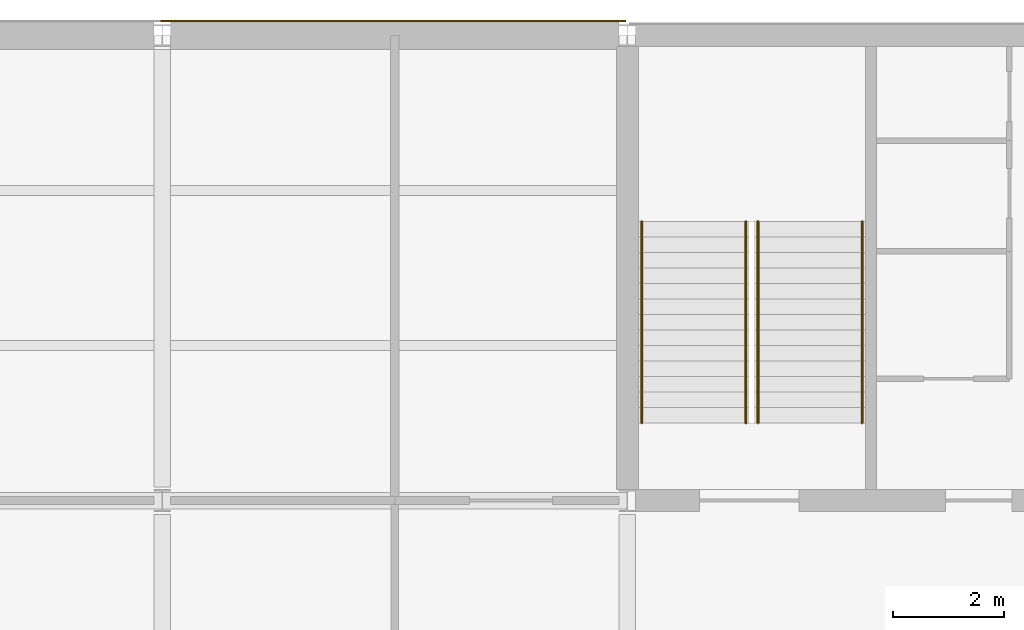
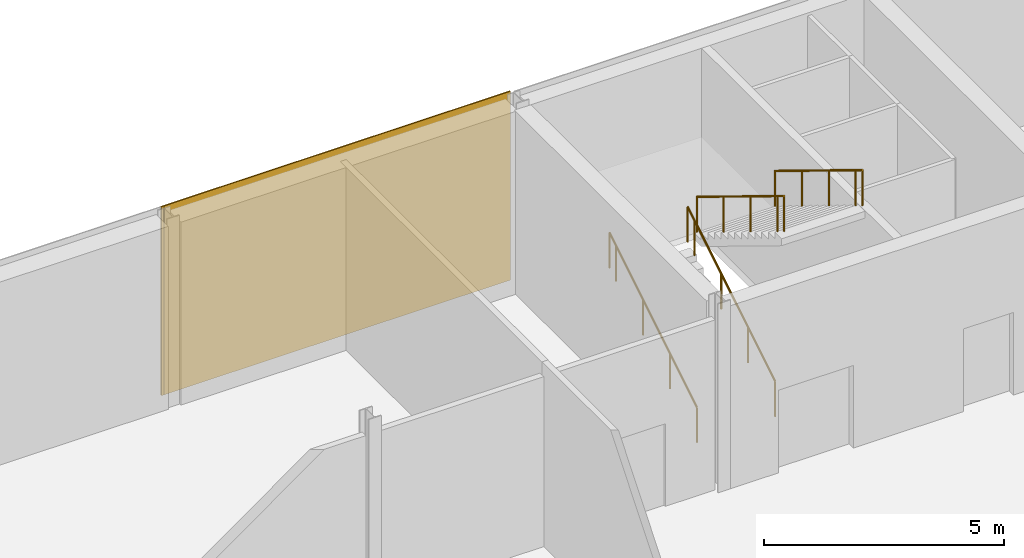
# One storey, part 43 of 52: 4 railings, 2 coverings.
"""IFC4 building model written with IfcOpenShell, lengths in metres."""

import ifcopenshell
import ifcopenshell.guid

model = None  # the IFC model being written
_history = None  # IfcOwnerHistory: only IFC2X3 demands one
_inside = {}  # id of a spatial element -> (the spatial element, [elements in it])
_under = {}  # id of a project, library or spatial element -> (it, [spatial elements below it])
_declared = {}  # id of a project -> (the project, [libraries it declares])
_typed = {}  # id of a type object -> (the type object, [elements of that type])
_made_of = {}  # id of a material, layer set ... -> (it, [elements and type objects made of it])


def new_model(schema):
    """Start an empty IFC model of exactly this schema.

    Asked for "IFC4X3", IfcOpenShell would pick the latest addendum, in which some entities
    have other attributes; the version numbers below select the first issue.
    IFC2X3 requires an IfcOwnerHistory on every rooted entity: one is made here for all.
    """
    global model, _history
    if schema == "IFC4X3":
        model = ifcopenshell.file(schema_version=(4, 3, 0, 0))
    else:
        model = ifcopenshell.file(schema=schema)
    _inside.clear()
    _under.clear()
    _declared.clear()
    _typed.clear()
    _made_of.clear()
    _history = None
    if model.schema == "IFC2X3":
        org = make("IfcOrganization", Name="unknown")
        user = make(
            "IfcPersonAndOrganization",
            ThePerson=make("IfcPerson", FamilyName="unknown"),
            TheOrganization=org,
        )
        app = make(
            "IfcApplication",
            ApplicationDeveloper=org,
            Version="unknown",
            ApplicationFullName="unknown",
            ApplicationIdentifier="unknown",
        )
        _history = make(
            "IfcOwnerHistory",
            OwningUser=user,
            OwningApplication=app,
            ChangeAction="ADDED",
            CreationDate=0,
        )
    return model


def make(cls, **values):
    """One entity of the class cls with the attributes given. An attribute that is None is left unset."""
    return model.create_entity(
        cls, **{name: value for name, value in values.items() if value is not None}
    )


def rooted(cls, **values):
    """An entity with a GlobalId (a new one), such as an element, a storey or a relation."""
    return make(cls, GlobalId=ifcopenshell.guid.new(), OwnerHistory=_history, **values)


def si_unit(unit_type, name, prefix=None):
    """IfcSIUnit, for example si_unit("LENGTHUNIT", "METRE", prefix="MILLI")."""
    return make("IfcSIUnit", UnitType=unit_type, Prefix=prefix, Name=name)


def assignment(units):
    """IfcUnitAssignment: the units of a project."""
    return None if units is None else make("IfcUnitAssignment", Units=units)


def point(xyz):
    """IfcCartesianPoint."""
    return None if xyz is None else make("IfcCartesianPoint", Coordinates=xyz)


def direction(xyz):
    """IfcDirection."""
    return None if xyz is None else make("IfcDirection", DirectionRatios=xyz)


def frame(location, z_axis=None, x_axis=None):
    """IfcAxis2Placement3D, a coordinate frame: its origin and axes. An axis left out is left unset."""
    return make(
        "IfcAxis2Placement3D",
        Location=point(location),
        Axis=direction(z_axis),
        RefDirection=direction(x_axis),
    )


def frame_2d(location, x_axis=None):
    """IfcAxis2Placement2D, a coordinate frame in the plane: its origin and x axis."""
    return make(
        "IfcAxis2Placement2D", Location=point(location), RefDirection=direction(x_axis)
    )


def origin():
    """The frame at (0, 0, 0) with its axes left unset."""
    return frame((0.0, 0.0, 0.0))


def origin_2d():
    """The frame at (0, 0) in the plane with its x axis left unset."""
    return frame_2d((0.0, 0.0))


def place(relative_to, where):
    """IfcLocalPlacement: puts the frame where relative to a parent placement (None: the world)."""
    return make(
        "IfcLocalPlacement", PlacementRelTo=relative_to, RelativePlacement=where
    )


def context(
    kind, dimensions, precision=None, world=None, true_north=None, identifier=None
):
    """IfcGeometricRepresentationContext, for example the 3D "Model" context."""
    return make(
        "IfcGeometricRepresentationContext",
        ContextIdentifier=identifier,
        ContextType=kind,
        CoordinateSpaceDimension=dimensions,
        Precision=precision,
        WorldCoordinateSystem=world,
        TrueNorth=true_north,
    )


def subcontext(parent, identifier, kind, view, scale=None):
    """IfcGeometricRepresentationSubContext, for example "Body" below "Model"."""
    return make(
        "IfcGeometricRepresentationSubContext",
        ContextIdentifier=identifier,
        ContextType=kind,
        ParentContext=parent,
        TargetScale=scale,
        TargetView=view,
    )


def project(units=None, contexts=None):
    """IfcProject with its units and contexts."""
    return rooted(
        "IfcProject",
        Name="project",
        RepresentationContexts=contexts,
        UnitsInContext=assignment(units),
    )


def spatial(cls, under=None, at=None, **own):
    """A site, building, storey or space (cls), placed at a placement, below another one or the project."""
    s = rooted(cls, ObjectPlacement=at, **own)
    if under is not None:
        _under.setdefault(under.id(), (under, []))[1].append(s)
    return s


def profile(cls, at=None, kind="AREA", **sizes):
    """A parametric profile (cls). Its sizes go by their IFC names, for example OverallWidth=200.0."""
    return make(cls, ProfileType=kind, Position=at, **sizes)


def rectangle(**sizes):
    """IfcRectangleProfileDef."""
    return profile("IfcRectangleProfileDef", **sizes)


def circle(**sizes):
    """IfcCircleProfileDef."""
    return profile("IfcCircleProfileDef", **sizes)


def extrude(swept, where, along, depth):
    """IfcExtrudedAreaSolid: the profile swept, set in the frame where, extruded along a direction by depth."""
    return make(
        "IfcExtrudedAreaSolid",
        SweptArea=swept,
        Position=where,
        ExtrudedDirection=direction(along),
        Depth=depth,
    )


def shape(context_of_items, identifier, shape_type, items):
    """IfcShapeRepresentation: the items that make up one representation, for example the "Body"."""
    return make(
        "IfcShapeRepresentation",
        ContextOfItems=context_of_items,
        RepresentationIdentifier=identifier,
        RepresentationType=shape_type,
        Items=items,
    )


def material(Name=None, Category=None):
    """IfcMaterial."""
    return make("IfcMaterial", Name=Name, Category=Category)


def layer(
    of_material, thickness, ventilated=None, Name=None, Category=None, Priority=None
):
    """IfcMaterialLayer: one layer of a wall or slab, of a material (None: an air gap)."""
    return make(
        "IfcMaterialLayer",
        Material=of_material,
        LayerThickness=thickness,
        IsVentilated=ventilated,
        Name=Name,
        Category=Category,
        Priority=Priority,
    )


def layer_set(layers, Name=None):
    """IfcMaterialLayerSet."""
    return make("IfcMaterialLayerSet", MaterialLayers=layers, LayerSetName=Name)


def made_of(thing, what):
    """Note that an element or type object is made of a material, layer set ...; save() writes the relation."""
    if what is not None:
        _made_of.setdefault(what.id(), (what, []))[1].append(thing)
    return thing


def type_object(cls, material=None, **own):
    """A type object (cls), such as IfcWallType, which elements share."""
    return made_of(rooted(cls, **own), material)


def element(
    cls,
    number,
    at=None,
    inside=None,
    cuts=None,
    type_object=None,
    material=None,
    context=None,
    identifier="Body",
    shape_type=None,
    held_by="IfcProductDefinitionShape",
    body=None,
    shapes=None,
    **own,
):
    """One element of the class cls, such as IfcWall. Its Tag is "e" and its number.

    at: its placement. inside: the storey or other place that contains it. cuts: it is an
    opening in that element (IfcRelVoidsElement). A single representation is given by context,
    identifier, shape_type and body (its items); several are given by shapes. held_by: the class
    of the entity that holds the representations. save() writes the other relations.
    """
    e = rooted(cls, Tag="e%d" % number, ObjectPlacement=at, **own)
    if body is not None:
        shapes = [shape(context, identifier, shape_type, body)]
    if shapes is not None:
        e.Representation = make(held_by, Representations=shapes)
    if inside is not None:
        _inside.setdefault(inside.id(), (inside, []))[1].append(e)
    if cuts is not None:
        rooted(
            "IfcRelVoidsElement", RelatingBuildingElement=cuts, RelatedOpeningElement=e
        )
    if type_object is not None:
        _typed.setdefault(type_object.id(), (type_object, []))[1].append(e)
    return made_of(e, material)


def aggregate(whole, parts):
    """IfcRelAggregates: a whole, such as a stair, and the parts it consists of."""
    return rooted("IfcRelAggregates", RelatingObject=whole, RelatedObjects=parts)


def save(model, path):
    """Write the relations noted so far, then the file.

    IfcRelAggregates (storeys below a building ...), IfcRelContainedInSpatialStructure (elements
    in a storey), IfcRelDefinesByType, IfcRelAssociatesMaterial and IfcRelDeclares: one each for
    every whole, place, type object, material and project.
    """
    for whole, parts in _under.values():
        aggregate(whole, parts)
    for where, things in _inside.values():
        rooted(
            "IfcRelContainedInSpatialStructure",
            RelatedElements=things,
            RelatingStructure=where,
        )
    for kind, things in _typed.values():
        rooted("IfcRelDefinesByType", RelatedObjects=things, RelatingType=kind)
    for what, things in _made_of.values():
        rooted("IfcRelAssociatesMaterial", RelatedObjects=things, RelatingMaterial=what)
    for by, libraries in _declared.values():
        rooted("IfcRelDeclares", RelatingContext=by, RelatedDefinitions=libraries)
    model.write(path)


model = new_model("IFC4")

# Units and contexts
model_context = context("Model", 3, precision=1e-05, world=origin(), true_north=direction((0.0, 1.0)))
body_context = subcontext(model_context, "Body", "Model", "MODEL_VIEW")
ifc_project = project(units=[si_unit("LENGTHUNIT", "METRE"), si_unit("AREAUNIT", "SQUARE_METRE"), si_unit("VOLUMEUNIT", "CUBIC_METRE"), si_unit("PLANEANGLEUNIT", "RADIAN"), si_unit("MASSUNIT", "GRAM", prefix="KILO")], contexts=[model_context])

# Site, building, storey
site_placement = place(None, origin())
site = spatial("IfcSite", under=ifc_project, at=site_placement, CompositionType="ELEMENT")
building_placement = place(site_placement, origin())
building = spatial("IfcBuilding", under=site, at=building_placement, Name="Galleria Vessillo Department Store", CompositionType="ELEMENT")
storey_placement = place(building_placement, frame((0.0, 0.0, 16.199951171875)))
storey = spatial("IfcBuildingStorey", under=building, at=storey_placement, Name="L03", CompositionType="ELEMENT", Elevation=16.199951171875)

# Coverings
ifc_material_1 = material(Name="Lime plaster (intonaco) ochre")
ifc_layer = layer(ifc_material_1, 0.030029296875)
ifc_layer_set = layer_set([ifc_layer], Name="Lime plaster (intonaco) ochre")
covering_type = type_object("IfcCoveringType", Name="Lime plaster render 30 mm", PredefinedType="CLADDING", material=ifc_layer_set)
covering_1_placement = place(storey_placement, frame((54.60009765625, 63.264892578125, 0.0), z_axis=(0.0, 0.0, 1.0), x_axis=(1.0, 0.0, 0.0)))
element("IfcCovering", 1, at=covering_1_placement, inside=storey, type_object=covering_type, Name="Wall cladding S-PN-L03-05", PredefinedType="CLADDING", context=body_context, shape_type="SweptSolid", body=[
    extrude(rectangle(XDim=8.34033203125, YDim=0.030029296875, at=origin_2d()), origin(), (0.0, 0.0, 1.0), 4.800048828125),
])
covering_2_placement = place(storey_placement, frame((50.39990234375, 63.264892578125, 0.0), z_axis=(0.0, 0.0, 1.0), x_axis=(1.0, 0.0, 0.0)))
element("IfcCovering", 2, at=covering_2_placement, inside=storey, type_object=covering_type, Name="Joint block Wall cladding S-PN-L03-04", PredefinedType="CLADDING", context=body_context, shape_type="SweptSolid", body=[
    extrude(rectangle(XDim=0.059814453125, YDim=0.030029296875, at=origin_2d()), origin(), (0.0, 0.0, 1.0), 4.800048828125),
])

# Railings
ifc_material_2 = material(Name="Stainless steel tube", Category="steel")
railing_type = type_object("IfcRailingType", Name="Stair handrail steel tube 48 mm", PredefinedType="HANDRAIL", material=ifc_material_2)
for number, where, name in (
    (3, (59.06005859375, 56.0, 0.17138671875), "Handrail ST11 L03 flight 1A"),
    (4, (60.93994140625, 56.0, 0.17138671875), "Handrail ST11 L03 flight 1B"),
):
    element("IfcRailing", number, at=place(storey_placement, frame(where)), inside=storey, type_object=railing_type, Name=name, PredefinedType="HANDRAIL", context=body_context, shape_type="SweptSolid", body=[
        extrude(circle(Radius=0.02392578125, at=origin_2d()), frame((0.0, 0.0, 0.89599609375), z_axis=(0.0, 0.852849614702, 0.52215661894), x_axis=(-1.0, 0.0, 0.0)), (0.0, 0.0, 1.0), 1.3134765625),
        extrude(circle(Radius=0.02392578125, at=origin_2d()), frame((0.0, 1.1201171875, 1.58154296875), z_axis=(0.0, 0.852798921012, 0.522239409008), x_axis=(-1.0, 0.0, 0.0)), (0.0, 0.0, 1.0), 1.313232421875),
        extrude(circle(Radius=0.02392578125, at=origin_2d()), frame((0.0, 2.239990234375, 2.267578125), z_axis=(0.0, 0.852932391421, 0.522021393877), x_axis=(-1.0, 0.0, 0.0)), (0.0, 0.0, 1.0), 1.313232421875),
        extrude(circle(Radius=0.02392578125, at=origin_2d()), frame((0.0, 3.360107421875, 2.953125), z_axis=(0.0, 0.852729557261, 0.522352660731), x_axis=(-1.0, 0.0, 0.0)), (0.0, 0.0, 1.0), 0.328125),
        extrude(circle(Radius=0.02099609375, at=origin_2d()), origin(), (0.0, 0.0, 1.0), 0.871826171875),
        extrude(circle(Radius=0.02099609375, at=origin_2d()), frame((0.0, 1.1201171875, 0.685791015625)), (0.0, 0.0, 1.0), 0.871826171875),
        extrude(circle(Radius=0.02099609375, at=origin_2d()), frame((0.0, 2.239990234375, 1.37158203125)), (0.0, 0.0, 1.0), 0.871826171875),
        extrude(circle(Radius=0.02099609375, at=origin_2d()), frame((0.0, 3.360107421875, 2.05712890625)), (0.0, 0.0, 1.0), 0.871826171875),
        extrude(circle(Radius=0.02099609375, at=origin_2d()), frame((0.0, 3.639892578125, 2.228515625)), (0.0, 0.0, 1.0), 0.871826171875),
    ])
for number, where, name in (
    (5, (63.0400390625, 59.639892578125, 2.571533203125), "Handrail ST11 L03 flight 2A"),
    (6, (61.16015625, 59.639892578125, 2.571533203125), "Handrail ST11 L03 flight 2B"),
):
    element("IfcRailing", number, at=place(storey_placement, frame(where)), inside=storey, type_object=railing_type, Name=name, PredefinedType="HANDRAIL", context=body_context, shape_type="SweptSolid", body=[
        extrude(circle(Radius=0.02392578125, at=origin_2d()), frame((0.0, 0.0, 0.89599609375), z_axis=(0.0, -0.852849614702, 0.52215661894), x_axis=(1.0, 0.0, 0.0)), (0.0, 0.0, 1.0), 1.3134765625),
        extrude(circle(Radius=0.02392578125, at=origin_2d()), frame((0.0, -1.1201171875, 1.58154296875), z_axis=(0.0, -0.852798921012, 0.522239409008), x_axis=(1.0, 0.0, 0.0)), (0.0, 0.0, 1.0), 1.313232421875),
        extrude(circle(Radius=0.02392578125, at=origin_2d()), frame((0.0, -2.239990234375, 2.267578125), z_axis=(0.0, -0.852932391421, 0.522021393877), x_axis=(1.0, 0.0, 0.0)), (0.0, 0.0, 1.0), 1.313232421875),
        extrude(circle(Radius=0.02392578125, at=origin_2d()), frame((0.0, -3.360107421875, 2.953125), z_axis=(0.0, -0.852729557261, 0.522352660731), x_axis=(1.0, 0.0, 0.0)), (0.0, 0.0, 1.0), 0.328125),
        extrude(circle(Radius=0.02099609375, at=origin_2d()), origin(), (0.0, 0.0, 1.0), 0.871826171875),
        extrude(circle(Radius=0.02099609375, at=origin_2d()), frame((0.0, -1.1201171875, 0.685791015625)), (0.0, 0.0, 1.0), 0.871826171875),
        extrude(circle(Radius=0.02099609375, at=origin_2d()), frame((0.0, -2.239990234375, 1.37158203125)), (0.0, 0.0, 1.0), 0.871826171875),
        extrude(circle(Radius=0.02099609375, at=origin_2d()), frame((0.0, -3.360107421875, 2.05712890625)), (0.0, 0.0, 1.0), 0.871826171875),
        extrude(circle(Radius=0.02099609375, at=origin_2d()), frame((0.0, -3.639892578125, 2.228515625)), (0.0, 0.0, 1.0), 0.871826171875),
    ])

save(model, "model.ifc")
